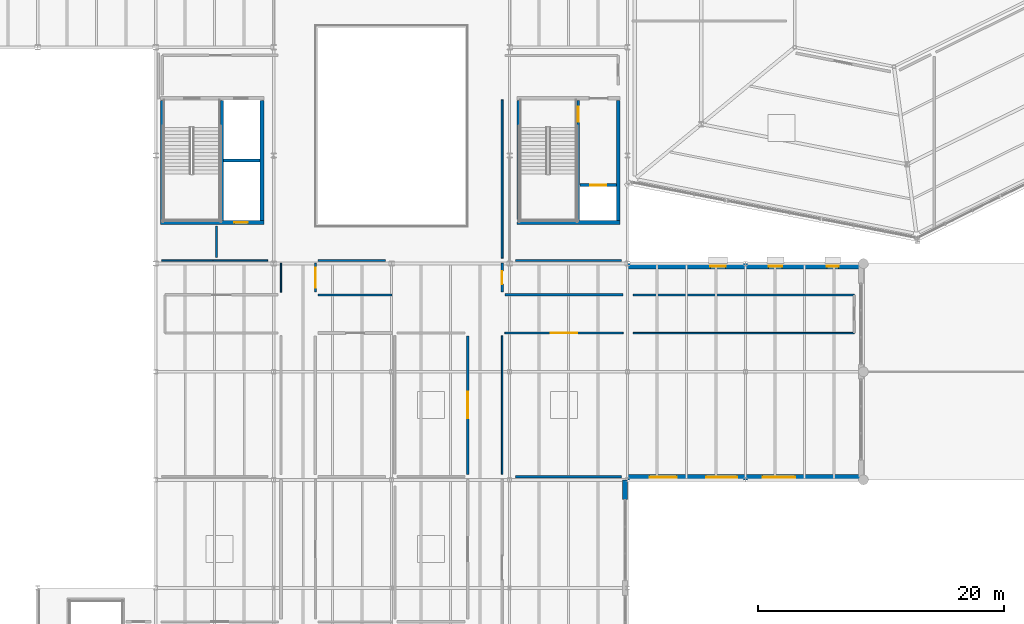
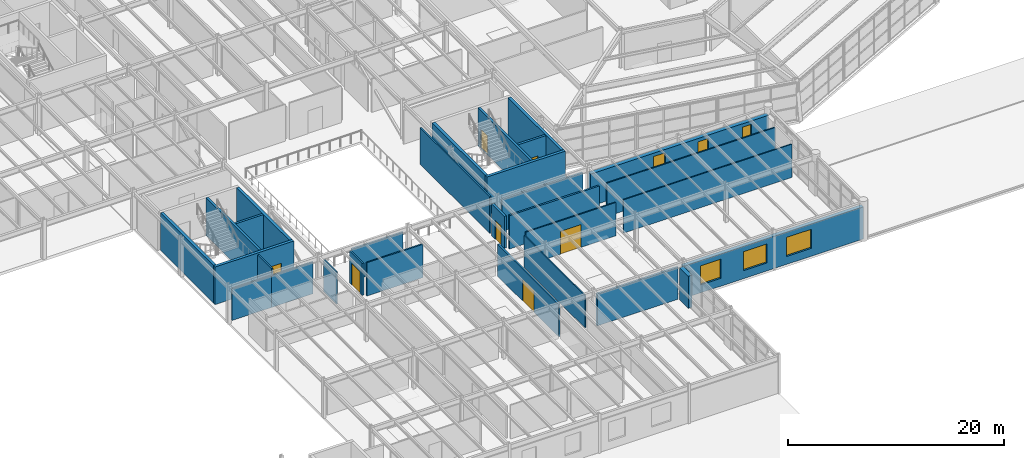
# One storey, part 58 of 77: 30 walls, 7 doors, 6 windows, 13 openings.
"""IFC4 building model written with IfcOpenShell, lengths in metres."""

from ifc_helpers import new_model, si_unit, direction, frame, frame_2d, origin, place, context, subcontext, project, spatial, rectangle, extrude, material, layer, layer_set, type_object, element, fill, save


model = new_model("IFC4")

# Units and contexts
model_context = context("Model", 3, precision=1e-05, world=origin(), true_north=direction((0.0, 1.0)))
body_context = subcontext(model_context, "Body", "Model", "MODEL_VIEW")
ifc_project = project(units=[si_unit("LENGTHUNIT", "METRE"), si_unit("AREAUNIT", "SQUARE_METRE"), si_unit("VOLUMEUNIT", "CUBIC_METRE"), si_unit("PLANEANGLEUNIT", "RADIAN"), si_unit("MASSUNIT", "GRAM", prefix="KILO")], contexts=[model_context])

# Site, building, storey
site_placement = place(None, origin())
site = spatial("IfcSite", under=ifc_project, at=site_placement, CompositionType="ELEMENT")
building_placement = place(site_placement, origin())
building = spatial("IfcBuilding", under=site, at=building_placement, Name="Sarnbrook Museum", CompositionType="ELEMENT")
storey_placement = place(building_placement, frame((0.0, 0.0, 5.60009765625)))
storey = spatial("IfcBuildingStorey", under=building, at=storey_placement, Name="L01", CompositionType="ELEMENT", Elevation=5.60009765625)

# Walls
ifc_material_1 = material(Name="Concrete N50 (AS 3600, f'c = 50 MPa)", Category="concrete")
ifc_layer_1 = layer(ifc_material_1, 0.300048828125)
ifc_layer_set_1 = layer_set([ifc_layer_1], Name="Concrete N50 (AS 3600, f'c = 50 MPa)")
wall_type_1 = type_object("IfcWallType", Name="CoreWall_CWRC", PredefinedType="SHEAR", material=ifc_layer_set_1)
wall_1_placement = place(storey_placement, frame((110.199951171875, 60.14990234375, 0.0), z_axis=(0.0, 0.0, 1.0), x_axis=(1.0, 0.0, 0.0)))
element("IfcWall", 1, at=wall_1_placement, inside=storey, type_object=wall_type_1, Name="Core C1 Shear Wall S L01", PredefinedType="SHEAR", context=body_context, shape_type="SweptSolid", body=[
    extrude(rectangle(XDim=8.400146484375, YDim=0.300048828125, at=frame_2d((4.2001953125, 0.0))), origin(), (0.0, 0.0, 1.0), 4.244873046875),
])
for number, where, z_axis, x_axis, name in (
    (2, (118.449951171875, 60.31005859375, 0.0), (0.0, 0.0, 1.0), (0.0, 1.0, 0.0), "Core C1 Shear Wall E L01"),
    (3, (110.35009765625, 70.090087890625, 0.0), (0.0, 0.0, 1.0), (0.0, -1.0, 0.0), "Core C1 Shear Wall W L01"),
):
    element("IfcWall", number, at=place(storey_placement, frame(where, z_axis=z_axis, x_axis=x_axis)), inside=storey, type_object=wall_type_1, Name=name, PredefinedType="SHEAR", context=body_context, shape_type="SweptSolid", body=[
        extrude(rectangle(XDim=9.780029296875, YDim=0.300048828125, at=frame_2d((4.89013671875, 0.0))), origin(), (0.0, 0.0, 1.0), 4.244873046875),
    ])

# Wall, opening, door
wall_2_placement = place(storey_placement, frame((81.199951171875, 60.14990234375, 0.0), z_axis=(0.0, 0.0, 1.0), x_axis=(1.0, 0.0, 0.0)))
wall_2 = element("IfcWall", 4, at=wall_2_placement, inside=storey, type_object=wall_type_1, Name="Core C3 Shear Wall S L01", PredefinedType="SHEAR", context=body_context, shape_type="SweptSolid", body=[
    extrude(rectangle(XDim=8.400146484375, YDim=0.300048828125, at=frame_2d((4.2001953125, 0.0))), origin(), (0.0, 0.0, 1.0), 4.244873046875),
])
opening_1_placement = place(wall_2_placement, frame((6.0, 0.0, 0.0)))
opening_1 = element("IfcOpeningElement", 5, at=opening_1_placement, cuts=wall_2, Name="Opening LD-PL1-L01", PredefinedType="OPENING", context=body_context, shape_type="SweptSolid", body=[
    extrude(rectangle(XDim=1.10009765625, YDim=2.199951171875, at=frame_2d((0.550048828125, 1.10009765625))), frame((0.0, 0.16015625, 0.0), z_axis=(0.0, -1.0, 0.0), x_axis=(1.0, 0.0, 0.0)), (0.0, 0.0, 1.0), 0.320068359375),
])
ifc_material_2 = material(Name="Brushed Stainless Steel Grade 316", Category="steel")
door_type_1 = type_object("IfcDoorType", Name="LiftDoor_Pax110", OperationType="DOUBLE_DOOR_SLIDING", PredefinedType="DOOR", material=ifc_material_2)
door_1_placement = place(opening_1_placement, origin())
door_1 = element("IfcDoor", 6, at=door_1_placement, inside=storey, type_object=door_type_1, Name="Lift Landing Sliding Door LD-PL1-L01", OperationType="DOUBLE_DOOR_SLIDING", OverallHeight=2.199951171875, OverallWidth=1.10009765625, PredefinedType="DOOR", context=body_context, shape_type="SweptSolid", body=[
    extrude(rectangle(XDim=1.10009765625, YDim=2.199951171875, at=frame_2d((0.550048828125, 1.10009765625))), frame((0.0, 0.02490234375, 0.0), z_axis=(0.0, -1.0, 0.0), x_axis=(1.0, 0.0, 0.0)), (0.0, 0.0, 1.0), 0.050048828125),
])
fill(opening_1, door_1)

# Walls
for number, where, z_axis, x_axis, name in (
    (7, (89.449951171875, 60.31005859375, 0.0), (0.0, 0.0, 1.0), (0.0, 1.0, 0.0), "Core C3 Shear Wall E L01"),
    (8, (81.35009765625, 70.090087890625, 0.0), (0.0, 0.0, 1.0), (0.0, -1.0, 0.0), "Core C3 Shear Wall W L01"),
):
    element("IfcWall", number, at=place(storey_placement, frame(where, z_axis=z_axis, x_axis=x_axis)), inside=storey, type_object=wall_type_1, Name=name, PredefinedType="SHEAR", context=body_context, shape_type="SweptSolid", body=[
        extrude(rectangle(XDim=9.780029296875, YDim=0.300048828125, at=frame_2d((4.89013671875, 0.0))), origin(), (0.0, 0.0, 1.0), 4.244873046875),
    ])
ifc_material_3 = material(Name="Fire-Rated Acoustic Gypsum Plasterboard")
ifc_layer_2 = layer(ifc_material_3, 0.1201171875)
ifc_layer_set_2 = layer_set([ifc_layer_2], Name="Fire-Rated Acoustic Gypsum Plasterboard")
wall_type_2 = type_object("IfcWallType", Name="PartWall_P120", PredefinedType="PARTITIONING", material=ifc_layer_set_2)
wall_3_placement = place(storey_placement, frame((91.0, 56.830078125, 0.0), z_axis=(0.0, 0.0, 1.0), x_axis=(0.0, -1.0, 0.0)))
element("IfcWall", 9, at=wall_3_placement, inside=storey, type_object=wall_type_2, Name="Interior Partition Wall L01-0328", PredefinedType="PARTITIONING", context=body_context, shape_type="SweptSolid", body=[
    extrude(rectangle(XDim=2.35009765625, YDim=0.1201171875, at=frame_2d((1.175048828125, 0.0))), origin(), (0.0, 0.0, 1.0), 3.61279296875),
])
wall_4_placement = place(storey_placement, frame((109.0, 39.64990234375, 0.0), z_axis=(0.0, 0.0, 1.0), x_axis=(0.0, 1.0, 0.0)))
element("IfcWall", 10, at=wall_4_placement, inside=storey, type_object=wall_type_2, Name="Interior Partition Wall L01-0363", PredefinedType="PARTITIONING", context=body_context, shape_type="SweptSolid", body=[
    extrude(rectangle(XDim=11.27001953125, YDim=0.1201171875, at=frame_2d((5.635009765625, 0.0))), origin(), (0.0, 0.0, 1.0), 3.61279296875),
])
wall_5_placement = place(storey_placement, frame((119.64990234375, 51.14990234375, 0.0), z_axis=(0.0, 0.0, 1.0), x_axis=(1.0, 0.0, 0.0)))
element("IfcWall", 11, at=wall_5_placement, inside=storey, type_object=wall_type_2, Name="Interior Partition Wall L01-0377", PredefinedType="PARTITIONING", context=body_context, shape_type="SweptSolid", body=[
    extrude(rectangle(XDim=17.989990234375, YDim=0.1201171875, at=frame_2d((8.9951171875, 0.0))), origin(), (0.0, 0.0, 1.0), 3.762939453125),
])
wall_6_placement = place(storey_placement, frame((81.280029296875, 57.06005859375, 0.0), z_axis=(0.0, 0.0, 1.0), x_axis=(1.0, 0.0, 0.0)))
element("IfcWall", 12, at=wall_6_placement, inside=storey, type_object=wall_type_2, Name="Interior Partition Wall L01-0426", PredefinedType="PARTITIONING", context=body_context, shape_type="SweptSolid", body=[
    extrude(rectangle(XDim=4.179931640625, YDim=0.1201171875, at=frame_2d((2.08984375, 0.0))), origin(), (0.0, 0.0, 1.0), 3.61279296875),
])
ifc_layer_3 = layer(ifc_material_3, 0.135009765625)
ifc_layer_set_3 = layer_set([ifc_layer_3], Name="Fire-Rated Acoustic Gypsum Plasterboard")
wall_type_3 = type_object("IfcWallType", Name="PartWall_P135", PredefinedType="PARTITIONING", material=ifc_layer_set_3)
wall_7_placement = place(storey_placement, frame((85.4599609375, 57.06005859375, 0.0), z_axis=(0.0, 0.0, 1.0), x_axis=(1.0, 0.0, 0.0)))
element("IfcWall", 13, at=wall_7_placement, inside=storey, type_object=wall_type_3, Name="Interior Partition Wall L01-0327", PredefinedType="PARTITIONING", context=body_context, shape_type="SweptSolid", body=[
    extrude(rectangle(XDim=4.4599609375, YDim=0.135009765625, at=frame_2d((2.22998046875, 0.0))), origin(), (0.0, 0.0, 1.0), 3.61279296875),
])

# Wall, opening, door
wall_8_placement = place(storey_placement, frame((109.22998046875, 51.14990234375, 0.0), z_axis=(0.0, 0.0, 1.0), x_axis=(1.0, 0.0, 0.0)))
wall_8 = element("IfcWall", 14, at=wall_8_placement, inside=storey, type_object=wall_type_3, Name="Interior Partition Wall L01-0362", PredefinedType="PARTITIONING", context=body_context, shape_type="SweptSolid", body=[
    extrude(rectangle(XDim=9.610107421875, YDim=0.135009765625, at=frame_2d((4.80517578125, 0.0))), origin(), (0.0, 0.0, 1.0), 3.762939453125),
])
opening_2_placement = place(wall_8_placement, frame((3.715087890625, 0.0, 0.0)))
opening_2 = element("IfcOpeningElement", 15, at=opening_2_placement, cuts=wall_8, Name="Opening D-L01-113", PredefinedType="OPENING", context=body_context, shape_type="SweptSolid", body=[
    extrude(rectangle(XDim=2.179931640625, YDim=2.580078125, at=frame_2d((1.08984375, 1.2900390625))), frame((0.0, 0.07763671875, 0.0), z_axis=(0.0, -1.0, 0.0), x_axis=(1.0, 0.0, 0.0)), (0.0, 0.0, 1.0), 0.155029296875),
])
ifc_material_4 = material(Name="Tasmanian Oak Acoustic Timber", Category="wood")
door_type_2 = type_object("IfcDoorType", Name="IntDoor_DT37", OperationType="NOTDEFINED", PredefinedType="DOOR", material=ifc_material_4)
door_2_placement = place(opening_2_placement, origin())
door_2 = element("IfcDoor", 16, at=door_2_placement, inside=storey, type_object=door_type_2, Name="Classical Casts & Reliefs Gallery L01-20 Door D-L01-113", OperationType="DOUBLE_DOOR_SINGLE_SWING", OverallHeight=2.580078125, OverallWidth=2.179931640625, PredefinedType="DOOR", context=body_context, shape_type="SweptSolid", body=[
    extrude(rectangle(XDim=2.179931640625, YDim=2.580078125, at=frame_2d((1.08984375, 1.2900390625))), frame((0.0, 0.02490234375, 0.0), z_axis=(0.0, -1.0, 0.0), x_axis=(1.0, 0.0, 0.0)), (0.0, 0.0, 1.0), 0.050048828125),
])
fill(opening_2, door_2)

# Walls
wall_9_placement = place(storey_placement, frame((137.639892578125, 54.25, 0.0), z_axis=(0.0, 0.0, 1.0), x_axis=(-1.0, 0.0, 0.0)))
element("IfcWall", 17, at=wall_9_placement, inside=storey, type_object=wall_type_3, Name="Interior Partition Wall L01-0376", PredefinedType="PARTITIONING", context=body_context, shape_type="SweptSolid", body=[
    extrude(rectangle(XDim=17.989990234375, YDim=0.135009765625, at=frame_2d((8.9951171875, 0.0))), origin(), (0.0, 0.0, 1.0), 3.762939453125),
])
ifc_layer_4 = layer(ifc_material_3, 0.14990234375)
ifc_layer_set_4 = layer_set([ifc_layer_4], Name="Fire-Rated Acoustic Gypsum Plasterboard")
wall_type_4 = type_object("IfcWallType", Name="PartWall_P150", PredefinedType="PARTITIONING", material=ifc_layer_set_4)
wall_10_placement = place(storey_placement, frame((100.030029296875, 54.25, 0.0), z_axis=(0.0, 0.0, 1.0), x_axis=(-1.0, 0.0, 0.0)))
element("IfcWall", 18, at=wall_10_placement, inside=storey, type_object=wall_type_4, Name="Interior Partition Wall L01-0347", PredefinedType="PARTITIONING", context=body_context, shape_type="SweptSolid", body=[
    extrude(rectangle(XDim=6.0, YDim=0.14990234375, at=frame_2d((3.0, 0.0))), origin(), (0.0, 0.0, 1.0), 3.762939453125),
])
wall_11_placement = place(storey_placement, frame((109.0, 57.25, 0.0), z_axis=(0.0, 0.0, 1.0), x_axis=(0.0, 1.0, 0.0)))
element("IfcWall", 19, at=wall_11_placement, inside=storey, type_object=wall_type_4, Name="Interior Partition Wall L01-0368", PredefinedType="PARTITIONING", context=body_context, shape_type="SweptSolid", body=[
    extrude(rectangle(XDim=12.8701171875, YDim=0.14990234375, at=frame_2d((6.43505859375, 0.0))), origin(), (0.0, 0.0, 1.0), 4.1298828125),
])
ifc_layer_5 = layer(ifc_material_3, 0.1650390625)
ifc_layer_set_5 = layer_set([ifc_layer_5], Name="Fire-Rated Acoustic Gypsum Plasterboard")
wall_type_5 = type_object("IfcWallType", Name="PartWall_P165", PredefinedType="PARTITIONING", material=ifc_layer_set_5)
wall_12_placement = place(storey_placement, frame((94.030029296875, 57.06005859375, 0.0), z_axis=(0.0, 0.0, 1.0), x_axis=(1.0, 0.0, 0.0)))
element("IfcWall", 20, at=wall_12_placement, inside=storey, type_object=wall_type_5, Name="Interior Partition Wall L01-0346", PredefinedType="PARTITIONING", context=body_context, shape_type="SweptSolid", body=[
    extrude(rectangle(XDim=5.489990234375, YDim=0.1650390625, at=frame_2d((2.7451171875, 0.0))), origin(), (0.0, 0.0, 1.0), 3.61279296875),
])
ifc_layer_6 = layer(ifc_material_3, 0.179931640625)
ifc_layer_set_6 = layer_set([ifc_layer_6], Name="Fire-Rated Acoustic Gypsum Plasterboard")
wall_type_6 = type_object("IfcWallType", Name="PartWall_P180", PredefinedType="PARTITIONING", material=ifc_layer_set_6)
wall_13_placement = place(storey_placement, frame((85.75, 59.8798828125, 0.0), z_axis=(0.0, 0.0, 1.0), x_axis=(0.0, -1.0, 0.0)))
element("IfcWall", 21, at=wall_13_placement, inside=storey, type_object=wall_type_6, Name="Interior Partition Wall L01-0331", PredefinedType="PARTITIONING", context=body_context, shape_type="SweptSolid", body=[
    extrude(rectangle(XDim=2.579833984375, YDim=0.179931640625, at=frame_2d((1.2900390625, 0.0))), origin(), (0.0, 0.0, 1.0), 4.1298828125),
])

# Wall, opening, door
wall_14_placement = place(storey_placement, frame((93.800048828125, 54.47998046875, 0.0), z_axis=(0.0, 0.0, 1.0), x_axis=(0.0, 1.0, 0.0)))
wall_14 = element("IfcWall", 22, at=wall_14_placement, inside=storey, type_object=wall_type_6, Name="Interior Partition Wall L01-0345", PredefinedType="PARTITIONING", context=body_context, shape_type="SweptSolid", body=[
    extrude(rectangle(XDim=2.35009765625, YDim=0.179931640625, at=frame_2d((1.175048828125, 0.0))), origin(), (0.0, 0.0, 1.0), 3.61279296875),
])
opening_3_placement = place(wall_14_placement, frame((0.364990234375, 0.0, 0.0)))
opening_3 = element("IfcOpeningElement", 23, at=opening_3_placement, cuts=wall_14, Name="Opening D-L01-106", PredefinedType="OPENING", context=body_context, shape_type="SweptSolid", body=[
    extrude(rectangle(XDim=1.6201171875, YDim=2.4599609375, at=frame_2d((0.81005859375, 1.22998046875))), frame((0.0, 0.10009765625, 0.0), z_axis=(0.0, -1.0, 0.0), x_axis=(1.0, 0.0, 0.0)), (0.0, 0.0, 1.0), 0.199951171875),
])
door_type_3 = type_object("IfcDoorType", Name="IntDoor_DT30", OperationType="NOTDEFINED", PredefinedType="DOOR", material=ifc_material_4)
door_3_placement = place(opening_3_placement, origin())
door_3 = element("IfcDoor", 24, at=door_3_placement, inside=storey, type_object=door_type_3, Name="Classical Casts & Reliefs Gallery L01-13 Door D-L01-106", OperationType="DOUBLE_DOOR_SINGLE_SWING", OverallHeight=2.4599609375, OverallWidth=1.6201171875, PredefinedType="DOOR", context=body_context, shape_type="SweptSolid", body=[
    extrude(rectangle(XDim=1.6201171875, YDim=2.4599609375, at=frame_2d((0.81005859375, 1.22998046875))), frame((0.0, 0.02490234375, 0.0), z_axis=(0.0, -1.0, 0.0), x_axis=(1.0, 0.0, 0.0)), (0.0, 0.0, 1.0), 0.050048828125),
])
fill(opening_3, door_3)

wall_15_placement = place(storey_placement, frame((106.199951171875, 50.919921875, 0.0), z_axis=(0.0, 0.0, 1.0), x_axis=(0.0, -1.0, 0.0)))
wall_15 = element("IfcWall", 25, at=wall_15_placement, inside=storey, type_object=wall_type_6, Name="Interior Partition Wall L01-0352", PredefinedType="PARTITIONING", context=body_context, shape_type="SweptSolid", body=[
    extrude(rectangle(XDim=11.27001953125, YDim=0.179931640625, at=frame_2d((5.635009765625, 0.0))), origin(), (0.0, 0.0, 1.0), 3.61279296875),
])
opening_4_placement = place(wall_15_placement, frame((4.56494140625, 0.0, 0.0)))
opening_4 = element("IfcOpeningElement", 26, at=opening_4_placement, cuts=wall_15, Name="Opening D-L01-109", PredefinedType="OPENING", context=body_context, shape_type="SweptSolid", body=[
    extrude(rectangle(XDim=2.139892578125, YDim=2.4599609375, at=frame_2d((1.06982421875, 1.22998046875))), frame((0.0, 0.10009765625, 0.0), z_axis=(0.0, -1.0, 0.0), x_axis=(1.0, 0.0, 0.0)), (0.0, 0.0, 1.0), 0.199951171875),
])
door_type_4 = type_object("IfcDoorType", Name="IntDoor_DT33", OperationType="NOTDEFINED", PredefinedType="DOOR", material=ifc_material_4)
door_4_placement = place(opening_4_placement, frame((2.139892578125, 0.0, 0.0), z_axis=(0.0, 0.0, 1.0), x_axis=(-1.0, 0.0, 0.0)))
door_4 = element("IfcDoor", 27, at=door_4_placement, inside=storey, type_object=door_type_4, Name="Southern Ocean Specimen Hall L01-16 Door D-L01-109", OperationType="DOUBLE_DOOR_SINGLE_SWING", OverallHeight=2.4599609375, OverallWidth=2.139892578125, PredefinedType="DOOR", context=body_context, shape_type="SweptSolid", body=[
    extrude(rectangle(XDim=2.139892578125, YDim=2.4599609375, at=frame_2d((1.06982421875, 1.22998046875))), frame((0.0, 0.02490234375, 0.0), z_axis=(0.0, -1.0, 0.0), x_axis=(1.0, 0.0, 0.0)), (0.0, 0.0, 1.0), 0.050048828125),
])
fill(opening_4, door_4)

# Walls
wall_16_placement = place(storey_placement, frame((110.080078125, 57.06005859375, 0.0), z_axis=(0.0, 0.0, 1.0), x_axis=(1.0, 0.0, 0.0)))
element("IfcWall", 28, at=wall_16_placement, inside=storey, type_object=wall_type_6, Name="Interior Partition Wall L01-0436", PredefinedType="PARTITIONING", context=body_context, shape_type="SweptSolid", body=[
    extrude(rectangle(XDim=8.639892578125, YDim=0.179931640625, at=frame_2d((4.31982421875, 0.0))), origin(), (0.0, 0.0, 1.0), 3.61279296875),
])
ifc_layer_7 = layer(ifc_material_3, 0.195068359375)
ifc_layer_set_7 = layer_set([ifc_layer_7], Name="Fire-Rated Acoustic Gypsum Plasterboard")
wall_type_7 = type_object("IfcWallType", Name="PartWall_P195", PredefinedType="PARTITIONING", material=ifc_layer_set_7)
wall_17_placement = place(storey_placement, frame((118.840087890625, 54.25, 0.0), z_axis=(0.0, 0.0, 1.0), x_axis=(-1.0, 0.0, 0.0)))
element("IfcWall", 29, at=wall_17_placement, inside=storey, type_object=wall_type_7, Name="Interior Partition Wall L01-0365", PredefinedType="PARTITIONING", context=body_context, shape_type="SweptSolid", body=[
    extrude(rectangle(XDim=9.610107421875, YDim=0.195068359375, at=frame_2d((4.80517578125, 0.0))), origin(), (0.0, 0.0, 1.0), 3.762939453125),
])
wall_18_placement = place(storey_placement, frame((110.080078125, 39.4599609375, 0.0), z_axis=(0.0, 0.0, 1.0), x_axis=(1.0, 0.0, 0.0)))
element("IfcWall", 30, at=wall_18_placement, inside=storey, type_object=wall_type_7, Name="Interior Partition Wall L01-0435", PredefinedType="PARTITIONING", context=body_context, shape_type="SweptSolid", body=[
    extrude(rectangle(XDim=8.639892578125, YDim=0.195068359375, at=frame_2d((4.31982421875, 0.0))), origin(), (0.0, 0.0, 1.0), 3.61279296875),
])

# Wall, opening, door
ifc_layer_8 = layer(ifc_material_3, 0.2099609375)
ifc_layer_set_8 = layer_set([ifc_layer_8], Name="Fire-Rated Acoustic Gypsum Plasterboard")
wall_type_8 = type_object("IfcWallType", Name="PartWall_P210", PredefinedType="PARTITIONING", material=ifc_layer_set_8)
wall_19_placement = place(storey_placement, frame((109.0, 54.47998046875, 0.0), z_axis=(0.0, 0.0, 1.0), x_axis=(0.0, 1.0, 0.0)))
wall_19 = element("IfcWall", 31, at=wall_19_placement, inside=storey, type_object=wall_type_8, Name="Interior Partition Wall L01-0364", PredefinedType="PARTITIONING", context=body_context, shape_type="SweptSolid", body=[
    extrude(rectangle(XDim=2.35009765625, YDim=0.2099609375, at=frame_2d((1.175048828125, 0.0))), origin(), (0.0, 0.0, 1.0), 3.61279296875),
])
opening_5_placement = place(wall_19_placement, frame((0.64990234375, 0.0, 0.0)))
opening_5 = element("IfcOpeningElement", 32, at=opening_5_placement, cuts=wall_19, Name="Opening D-L01-114", PredefinedType="OPENING", context=body_context, shape_type="SweptSolid", body=[
    extrude(rectangle(XDim=1.050048828125, YDim=2.14990234375, at=frame_2d((0.52490234375, 1.074951171875))), frame((0.0, 0.114990234375, 0.0), z_axis=(0.0, -1.0, 0.0), x_axis=(1.0, 0.0, 0.0)), (0.0, 0.0, 1.0), 0.22998046875),
])
door_type_5 = type_object("IfcDoorType", Name="FireDoor_FD60", OperationType="NOTDEFINED", PredefinedType="DOOR", material=ifc_material_4)
door_5_placement = place(opening_5_placement, origin())
door_5 = element("IfcDoor", 33, at=door_5_placement, inside=storey, type_object=door_type_5, Name="Digital Natural History Studio L01-21 Door D-L01-114", OperationType="SINGLE_SWING_RIGHT", OverallHeight=2.14990234375, OverallWidth=1.050048828125, PredefinedType="DOOR", context=body_context, shape_type="SweptSolid", body=[
    extrude(rectangle(XDim=1.050048828125, YDim=2.14990234375, at=frame_2d((0.52490234375, 1.074951171875))), frame((0.0, 0.02490234375, 0.0), z_axis=(0.0, -1.0, 0.0), x_axis=(1.0, 0.0, 0.0)), (0.0, 0.0, 1.0), 0.050048828125),
])
fill(opening_5, door_5)

ifc_material_5 = material(Name="Concrete N40 (AS 3600, f'c = 40 MPa)", Category="concrete")
ifc_layer_9 = layer(ifc_material_5, 0.239990234375)
ifc_layer_set_9 = layer_set([ifc_layer_9], Name="Concrete N40 (AS 3600, f'c = 40 MPa)")
wall_type_9 = type_object("IfcWallType", Name="ShaftWall_SWRC", PredefinedType="SOLIDWALL", material=ifc_layer_set_9)
wall_20_placement = place(storey_placement, frame((115.18994140625, 60.31005859375, 0.0), z_axis=(0.0, 0.0, 1.0), x_axis=(0.0, 1.0, 0.0)))
wall_20 = element("IfcWall", 34, at=wall_20_placement, inside=storey, type_object=wall_type_9, Name="Stairwell ST1 Fire Shaft Wall L01", PredefinedType="SOLIDWALL", context=body_context, shape_type="SweptSolid", body=[
    extrude(rectangle(XDim=9.780029296875, YDim=0.239990234375, at=frame_2d((4.89013671875, 0.0))), origin(), (0.0, 0.0, 1.0), 4.244873046875),
])
opening_6_placement = place(wall_20_placement, frame((8.014892578125, 0.0, 0.0)))
opening_6 = element("IfcOpeningElement", 35, at=opening_6_placement, cuts=wall_20, Name="Opening D-ST-ST1-L01", PredefinedType="OPENING", context=body_context, shape_type="SweptSolid", body=[
    extrude(rectangle(XDim=1.25, YDim=2.199951171875, at=frame_2d((0.625, 1.10009765625))), frame((0.0, 0.1298828125, 0.0), z_axis=(0.0, -1.0, 0.0), x_axis=(1.0, 0.0, 0.0)), (0.0, 0.0, 1.0), 0.260009765625),
])
door_type_6 = type_object("IfcDoorType", Name="FireDoor_FD120", OperationType="NOTDEFINED", PredefinedType="DOOR", material=ifc_material_4)
door_6_placement = place(opening_6_placement, origin())
door_6 = element("IfcDoor", 36, at=door_6_placement, inside=storey, type_object=door_type_6, Name="Exit Stair ST1 Fire Door L01", OperationType="SINGLE_SWING_LEFT", OverallHeight=2.199951171875, OverallWidth=1.25, PredefinedType="DOOR", context=body_context, shape_type="SweptSolid", body=[
    extrude(rectangle(XDim=1.25, YDim=2.199951171875, at=frame_2d((0.625, 1.10009765625))), frame((0.0, 0.02490234375, 0.0), z_axis=(0.0, -1.0, 0.0), x_axis=(1.0, 0.0, 0.0)), (0.0, 0.0, 1.0), 0.050048828125),
])
fill(opening_6, door_6)

wall_21_placement = place(storey_placement, frame((115.320068359375, 63.179931640625, 0.0), z_axis=(0.0, 0.0, 1.0), x_axis=(1.0, 0.0, 0.0)))
wall_21 = element("IfcWall", 37, at=wall_21_placement, inside=storey, type_object=wall_type_9, Name="Lift EL1 Shaft Front Wall L01", PredefinedType="SOLIDWALL", context=body_context, shape_type="SweptSolid", body=[
    extrude(rectangle(XDim=2.969970703125, YDim=0.239990234375, at=frame_2d((1.48486328125, 0.0))), origin(), (0.0, 0.0, 1.0), 4.244873046875),
])
opening_7_placement = place(wall_21_placement, frame((0.8349609375, 0.0, 0.0)))
opening_7 = element("IfcOpeningElement", 38, at=opening_7_placement, cuts=wall_21, Name="Opening LD-EL1-L01", PredefinedType="OPENING", context=body_context, shape_type="SweptSolid", body=[
    extrude(rectangle(XDim=1.300048828125, YDim=2.25, at=frame_2d((0.64990234375, 1.125))), frame((0.0, 0.1298828125, 0.0), z_axis=(0.0, -1.0, 0.0), x_axis=(1.0, 0.0, 0.0)), (0.0, 0.0, 1.0), 0.260009765625),
])
door_type_7 = type_object("IfcDoorType", Name="LiftDoor_FF130", OperationType="DOUBLE_DOOR_SLIDING", PredefinedType="DOOR", material=ifc_material_2)
door_7_placement = place(opening_7_placement, origin())
door_7 = element("IfcDoor", 39, at=door_7_placement, inside=storey, type_object=door_type_7, Name="Lift Landing Sliding Door LD-EL1-L01", OperationType="DOUBLE_DOOR_SLIDING", OverallHeight=2.25, OverallWidth=1.300048828125, PredefinedType="DOOR", context=body_context, shape_type="SweptSolid", body=[
    extrude(rectangle(XDim=1.300048828125, YDim=2.25, at=frame_2d((0.64990234375, 1.125))), frame((0.0, 0.02490234375, 0.0), z_axis=(0.0, -1.0, 0.0), x_axis=(1.0, 0.0, 0.0)), (0.0, 0.0, 1.0), 0.050048828125),
])
fill(opening_7, door_7)

# Walls
wall_22_placement = place(storey_placement, frame((86.18994140625, 60.31005859375, 0.0), z_axis=(0.0, 0.0, 1.0), x_axis=(0.0, 1.0, 0.0)))
element("IfcWall", 40, at=wall_22_placement, inside=storey, type_object=wall_type_9, Name="Stairwell ST3 Fire Shaft Wall L01", PredefinedType="SOLIDWALL", context=body_context, shape_type="SweptSolid", body=[
    extrude(rectangle(XDim=9.780029296875, YDim=0.239990234375, at=frame_2d((4.89013671875, 0.0))), origin(), (0.0, 0.0, 1.0), 4.244873046875),
])
wall_23_placement = place(storey_placement, frame((86.320068359375, 65.199951171875, 0.0), z_axis=(0.0, 0.0, 1.0), x_axis=(1.0, 0.0, 0.0)))
element("IfcWall", 41, at=wall_23_placement, inside=storey, type_object=wall_type_9, Name="Core C3 Twin Lift Divider Wall L01", PredefinedType="SOLIDWALL", context=body_context, shape_type="SweptSolid", body=[
    extrude(rectangle(XDim=2.969970703125, YDim=0.239990234375, at=frame_2d((1.48486328125, 0.0))), origin(), (0.0, 0.0, 1.0), 4.244873046875),
])
ifc_material_6 = material(Name="Barrabool Sandstone Ashlar Cladding", Category="masonry")
ifc_layer_10 = layer(ifc_material_6, 0.419921875)
ifc_layer_set_10 = layer_set([ifc_layer_10], Name="Barrabool Sandstone Ashlar Cladding")
wall_type_10 = type_object("IfcWallType", Name="Wall_SandstoneExt420", PredefinedType="SOLIDWALL", material=ifc_layer_set_10)
wall_24_placement = place(storey_placement, frame((118.989990234375, 37.60009765625, 0.0), z_axis=(0.0, 0.0, 1.0), x_axis=(0.0, 1.0, 0.0)))
element("IfcWall", 42, at=wall_24_placement, inside=storey, type_object=wall_type_10, Name="Classical Sandstone Facade Pier L01-2.3", PredefinedType="SOLIDWALL", context=body_context, shape_type="SweptSolid", body=[
    extrude(rectangle(XDim=1.599853515625, YDim=0.419921875, at=frame_2d((0.7998046875, 0.0))), origin(), (0.0, 0.0, 1.0), 3.6279296875),
])

# Wall, openings, windows
wall_25_placement = place(storey_placement, frame((119.199951171875, 39.409912109375, 0.0), z_axis=(0.0, 0.0, 1.0), x_axis=(1.0, 0.0, 0.0)))
wall_25 = element("IfcWall", 43, at=wall_25_placement, inside=storey, type_object=wall_type_10, Name="Classical Sandstone Facade Wall L01-03", PredefinedType="SOLIDWALL", context=body_context, shape_type="SweptSolid", body=[
    extrude(rectangle(XDim=19.199951171875, YDim=0.419921875, at=frame_2d((9.60009765625, 0.0))), origin(), (0.0, 0.0, 1.0), 3.6279296875),
])
opening_8_placement = place(wall_25_placement, frame((1.800048828125, 0.0, 0.89990234375)))
opening_8 = element("IfcOpeningElement", 44, at=opening_8_placement, cuts=wall_25, Name="Opening WT-31", PredefinedType="OPENING", context=body_context, shape_type="SweptSolid", body=[
    extrude(rectangle(XDim=2.199951171875, YDim=2.14990234375, at=frame_2d((1.10009765625, 1.074951171875))), frame((0.0, 0.219970703125, 0.0), z_axis=(0.0, -1.0, 0.0), x_axis=(1.0, 0.0, 0.0)), (0.0, 0.0, 1.0), 0.43994140625),
])
opening_9_placement = place(wall_25_placement, frame((6.39990234375, 0.0, 0.89990234375)))
opening_9 = element("IfcOpeningElement", 45, at=opening_9_placement, cuts=wall_25, Name="Opening WT-32", PredefinedType="OPENING", context=body_context, shape_type="SweptSolid", body=[
    extrude(rectangle(XDim=2.52001953125, YDim=2.14990234375, at=frame_2d((1.260009765625, 1.074951171875))), frame((0.0, 0.219970703125, 0.0), z_axis=(0.0, -1.0, 0.0), x_axis=(1.0, 0.0, 0.0)), (0.0, 0.0, 1.0), 0.43994140625),
])
opening_10_placement = place(wall_25_placement, frame((11.0, 0.0, 0.89990234375)))
opening_10 = element("IfcOpeningElement", 46, at=opening_10_placement, cuts=wall_25, Name="Opening WT-33", PredefinedType="OPENING", context=body_context, shape_type="SweptSolid", body=[
    extrude(rectangle(XDim=2.64990234375, YDim=2.14990234375, at=frame_2d((1.324951171875, 1.074951171875))), frame((0.0, 0.219970703125, 0.0), z_axis=(0.0, -1.0, 0.0), x_axis=(1.0, 0.0, 0.0)), (0.0, 0.0, 1.0), 0.43994140625),
])
ifc_material_7 = material(Name="Double-Glazed Low-Iron Laminated Safety Glass", Category="glass")
window_type_1 = type_object("IfcWindowType", Name="Window_Classical_WT31", PartitioningType="SINGLE_PANEL", PredefinedType="WINDOW", material=ifc_material_7)
window_1_placement = place(opening_8_placement, origin())
window_1 = element("IfcWindow", 47, at=window_1_placement, inside=storey, type_object=window_type_1, Name="Classical Bronze Casement Window WIN:L01:0031", OverallHeight=2.14990234375, OverallWidth=2.199951171875, PartitioningType="SINGLE_PANEL", PredefinedType="WINDOW", context=body_context, shape_type="SweptSolid", body=[
    extrude(rectangle(XDim=2.199951171875, YDim=2.14990234375, at=frame_2d((1.10009765625, 1.074951171875))), frame((0.0, 0.030029296875, 0.0), z_axis=(0.0, -1.0, 0.0), x_axis=(1.0, 0.0, 0.0)), (0.0, 0.0, 1.0), 0.06005859375),
])
fill(opening_8, window_1)
window_type_2 = type_object("IfcWindowType", Name="Window_Classical_WT32", PartitioningType="SINGLE_PANEL", PredefinedType="WINDOW", material=ifc_material_7)
window_2_placement = place(opening_9_placement, origin())
window_2 = element("IfcWindow", 48, at=window_2_placement, inside=storey, type_object=window_type_2, Name="Classical Bronze Casement Window WIN:L01:0032", OverallHeight=2.14990234375, OverallWidth=2.52001953125, PartitioningType="SINGLE_PANEL", PredefinedType="WINDOW", context=body_context, shape_type="SweptSolid", body=[
    extrude(rectangle(XDim=2.52001953125, YDim=2.14990234375, at=frame_2d((1.260009765625, 1.074951171875))), frame((0.0, 0.030029296875, 0.0), z_axis=(0.0, -1.0, 0.0), x_axis=(1.0, 0.0, 0.0)), (0.0, 0.0, 1.0), 0.06005859375),
])
fill(opening_9, window_2)
window_type_3 = type_object("IfcWindowType", Name="Window_Classical_WT33", PartitioningType="SINGLE_PANEL", PredefinedType="WINDOW", material=ifc_material_7)
window_3_placement = place(opening_10_placement, origin())
window_3 = element("IfcWindow", 49, at=window_3_placement, inside=storey, type_object=window_type_3, Name="Classical Bronze Casement Window WIN:L01:0033", OverallHeight=2.14990234375, OverallWidth=2.64990234375, PartitioningType="SINGLE_PANEL", PredefinedType="WINDOW", context=body_context, shape_type="SweptSolid", body=[
    extrude(rectangle(XDim=2.64990234375, YDim=2.14990234375, at=frame_2d((1.324951171875, 1.074951171875))), frame((0.0, 0.030029296875, 0.0), z_axis=(0.0, -1.0, 0.0), x_axis=(1.0, 0.0, 0.0)), (0.0, 0.0, 1.0), 0.06005859375),
])
fill(opening_10, window_3)

wall_26_placement = place(storey_placement, frame((138.18408203125, 56.590087890625, 0.0), z_axis=(0.0, 0.0, 1.0), x_axis=(-1.0, 0.0, 0.0)))
wall_26 = element("IfcWall", 50, at=wall_26_placement, inside=storey, type_object=wall_type_10, Name="Classical Sandstone Facade Wall L01-05", PredefinedType="SOLIDWALL", context=body_context, shape_type="SweptSolid", body=[
    extrude(rectangle(XDim=18.984130859375, YDim=0.419921875, at=frame_2d((9.4921875, 0.0))), origin(), (0.0, 0.0, 1.0), 3.6279296875),
])
opening_11_placement = place(wall_26_placement, frame((1.800048828125, 0.0, 0.75)))
opening_11 = element("IfcOpeningElement", 51, at=opening_11_placement, cuts=wall_26, Name="Opening WT-34", PredefinedType="OPENING", context=body_context, shape_type="SweptSolid", body=[
    extrude(rectangle(XDim=0.949951171875, YDim=2.5, at=frame_2d((0.47509765625, 1.25))), frame((0.0, 0.219970703125, 0.0), z_axis=(0.0, -1.0, 0.0), x_axis=(1.0, 0.0, 0.0)), (0.0, 0.0, 1.0), 0.43994140625),
])
opening_12_placement = place(wall_26_placement, frame((6.39990234375, 0.0, 0.75)))
opening_12 = element("IfcOpeningElement", 52, at=opening_12_placement, cuts=wall_26, Name="Opening WT-35", PredefinedType="OPENING", context=body_context, shape_type="SweptSolid", body=[
    extrude(rectangle(XDim=1.10009765625, YDim=2.5, at=frame_2d((0.550048828125, 1.25))), frame((0.0, 0.219970703125, 0.0), z_axis=(0.0, -1.0, 0.0), x_axis=(1.0, 0.0, 0.0)), (0.0, 0.0, 1.0), 0.43994140625),
])
opening_13_placement = place(wall_26_placement, frame((11.0, 0.0, 0.75)))
opening_13 = element("IfcOpeningElement", 53, at=opening_13_placement, cuts=wall_26, Name="Opening WT-36", PredefinedType="OPENING", context=body_context, shape_type="SweptSolid", body=[
    extrude(rectangle(XDim=1.25, YDim=2.5, at=frame_2d((0.625, 1.25))), frame((0.0, 0.219970703125, 0.0), z_axis=(0.0, -1.0, 0.0), x_axis=(1.0, 0.0, 0.0)), (0.0, 0.0, 1.0), 0.43994140625),
])
window_type_4 = type_object("IfcWindowType", Name="Window_Classical_WT34", PartitioningType="SINGLE_PANEL", PredefinedType="WINDOW", material=ifc_material_7)
window_4_placement = place(opening_11_placement, origin())
window_4 = element("IfcWindow", 54, at=window_4_placement, inside=storey, type_object=window_type_4, Name="Classical Bronze Casement Window WIN:L01:0034", OverallHeight=2.5, OverallWidth=0.949951171875, PartitioningType="SINGLE_PANEL", PredefinedType="WINDOW", context=body_context, shape_type="SweptSolid", body=[
    extrude(rectangle(XDim=0.949951171875, YDim=2.5, at=frame_2d((0.47509765625, 1.25))), frame((0.0, 0.030029296875, 0.0), z_axis=(0.0, -1.0, 0.0), x_axis=(1.0, 0.0, 0.0)), (0.0, 0.0, 1.0), 0.06005859375),
])
fill(opening_11, window_4)
window_type_5 = type_object("IfcWindowType", Name="Window_Classical_WT35", PartitioningType="SINGLE_PANEL", PredefinedType="WINDOW", material=ifc_material_7)
window_5_placement = place(opening_12_placement, origin())
window_5 = element("IfcWindow", 55, at=window_5_placement, inside=storey, type_object=window_type_5, Name="Classical Bronze Casement Window WIN:L01:0035", OverallHeight=2.5, OverallWidth=1.10009765625, PartitioningType="SINGLE_PANEL", PredefinedType="WINDOW", context=body_context, shape_type="SweptSolid", body=[
    extrude(rectangle(XDim=1.10009765625, YDim=2.5, at=frame_2d((0.550048828125, 1.25))), frame((0.0, 0.030029296875, 0.0), z_axis=(0.0, -1.0, 0.0), x_axis=(1.0, 0.0, 0.0)), (0.0, 0.0, 1.0), 0.06005859375),
])
fill(opening_12, window_5)
window_type_6 = type_object("IfcWindowType", Name="Window_Classical_WT36", PartitioningType="SINGLE_PANEL", PredefinedType="WINDOW", material=ifc_material_7)
window_6_placement = place(opening_13_placement, origin())
window_6 = element("IfcWindow", 56, at=window_6_placement, inside=storey, type_object=window_type_6, Name="Classical Bronze Casement Window WIN:L01:0036", OverallHeight=2.5, OverallWidth=1.25, PartitioningType="SINGLE_PANEL", PredefinedType="WINDOW", context=body_context, shape_type="SweptSolid", body=[
    extrude(rectangle(XDim=1.25, YDim=2.5, at=frame_2d((0.625, 1.25))), frame((0.0, 0.030029296875, 0.0), z_axis=(0.0, -1.0, 0.0), x_axis=(1.0, 0.0, 0.0)), (0.0, 0.0, 1.0), 0.06005859375),
])
fill(opening_13, window_6)

save(model, "model.ifc")
